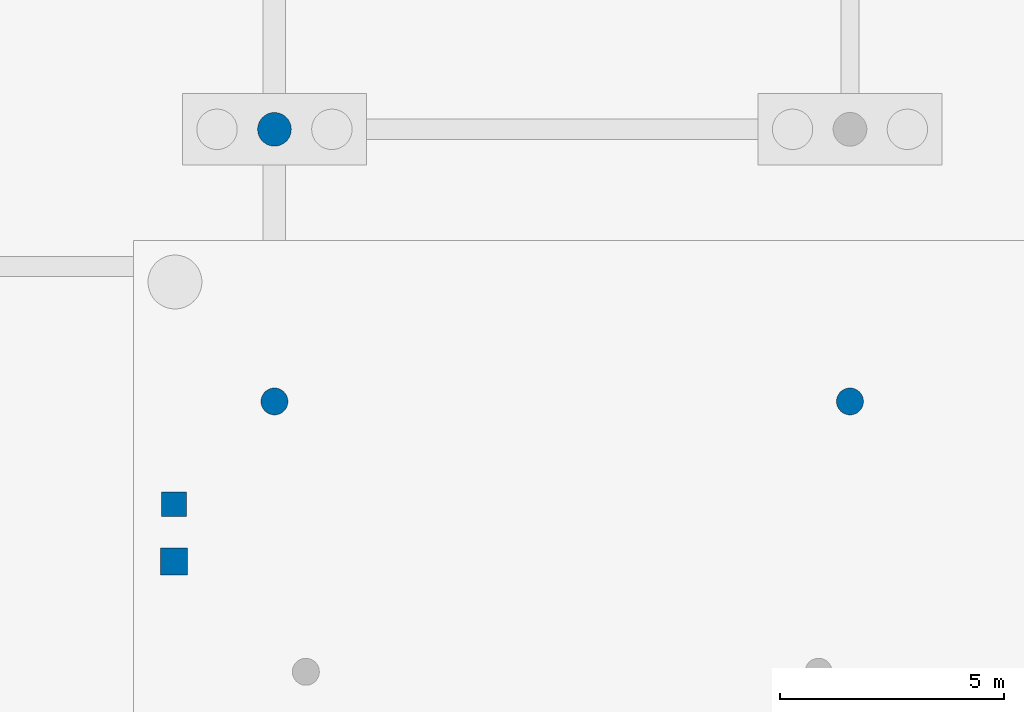
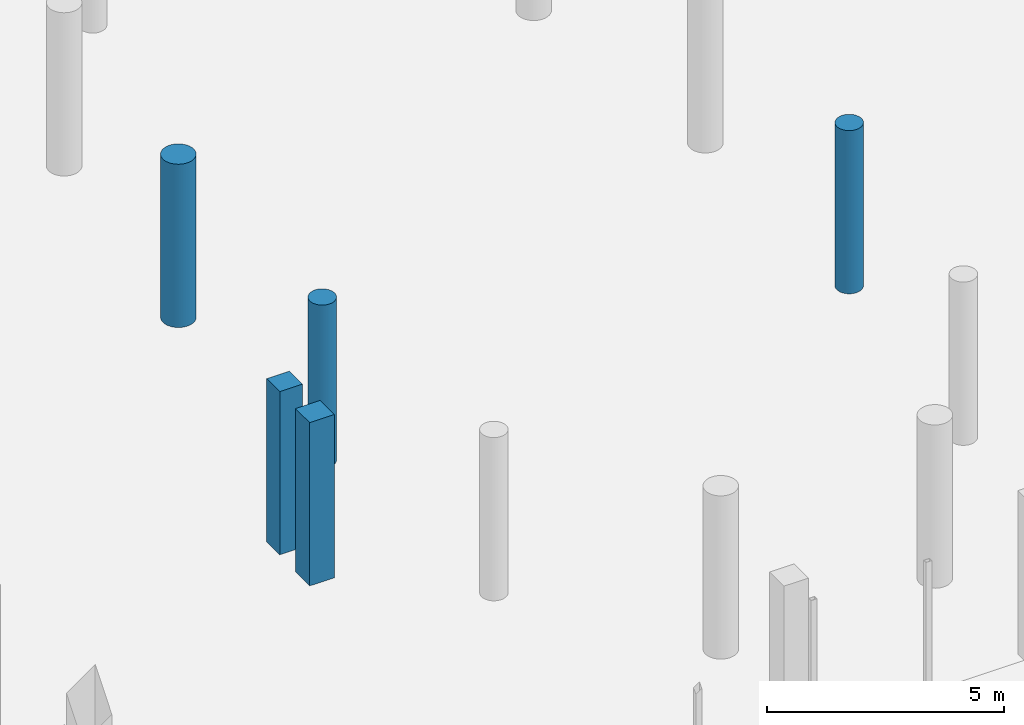
# One storey, part 16 of 34: 5 columns.
"""IFC4 building model written with IfcOpenShell, lengths in metres."""

from ifc_helpers import new_model, si_unit, direction, frame, origin, origin_2d, place, context, subcontext, project, spatial, rectangle, circle, extrude, material, material_profile, profile_set, type_object, element, save


model = new_model("IFC4")

# Units and contexts
model_context = context("Model", 3, precision=1e-05, world=origin(), true_north=direction((0.0, 1.0)))
body_context = subcontext(model_context, "Body", "Model", "MODEL_VIEW")
ifc_project = project(units=[si_unit("LENGTHUNIT", "METRE"), si_unit("AREAUNIT", "SQUARE_METRE"), si_unit("VOLUMEUNIT", "CUBIC_METRE"), si_unit("PLANEANGLEUNIT", "RADIAN"), si_unit("MASSUNIT", "GRAM", prefix="KILO")], contexts=[model_context])

# Site, building, storey
site_placement = place(None, origin())
site = spatial("IfcSite", under=ifc_project, at=site_placement, CompositionType="ELEMENT")
building_placement = place(site_placement, origin())
building = spatial("IfcBuilding", under=site, at=building_placement, Name="Vinh Khe Railworks Police Headquarters", CompositionType="ELEMENT")
storey_placement = place(building_placement, frame((0.0, 0.0, -4.199951171875)))
storey = spatial("IfcBuildingStorey", under=building, at=storey_placement, Name="B1", CompositionType="ELEMENT", Elevation=-4.199951171875)

# Columns
ifc_material = material(Name="Concrete C40/50 (B40)", Category="concrete")
ifc_material_profile_1 = material_profile(ifc_material, rectangle(XDim=0.550048828125, YDim=0.550048828125, at=origin_2d()), Name="RC 550x550")
ifc_profile_set_1 = profile_set([ifc_material_profile_1], Name="Concrete C40/50 (B40)")
column_type_1 = type_object("IfcColumnType", Name="RC Column RC 550x550", PredefinedType="COLUMN", material=ifc_profile_set_1)
column_1_placement = place(storey_placement, frame((34.550048828125, 36.679931640625, 0.0), z_axis=(0.0, 0.0, 1.0), x_axis=(1.0, 0.0, 0.0)))
element("IfcColumn", 1, at=column_1_placement, inside=storey, type_object=column_type_1, Name="Column COL-B1-CC-06-0825", PredefinedType="COLUMN", context=body_context, shape_type="SweptSolid", body=[
    extrude(rectangle(XDim=0.550048828125, YDim=0.550048828125, at=origin_2d()), origin(), (0.0, 0.0, 1.0), 4.199951171875),
])
ifc_material_profile_2 = material_profile(ifc_material, rectangle(XDim=0.60009765625, YDim=0.60009765625, at=origin_2d()), Name="RC 600x600")
ifc_profile_set_2 = profile_set([ifc_material_profile_2], Name="Concrete C40/50 (B40)")
column_type_2 = type_object("IfcColumnType", Name="RC Column RC 600x600", PredefinedType="COLUMN", material=ifc_profile_set_2)
column_2_placement = place(storey_placement, frame((34.550048828125, 35.39990234375, 0.0), z_axis=(0.0, 0.0, 1.0), x_axis=(1.0, 0.0, 0.0)))
element("IfcColumn", 2, at=column_2_placement, inside=storey, type_object=column_type_2, Name="Column COL-B1-CC-05-0821", PredefinedType="COLUMN", context=body_context, shape_type="SweptSolid", body=[
    extrude(rectangle(XDim=0.60009765625, YDim=0.60009765625, at=origin_2d()), origin(), (0.0, 0.0, 1.0), 4.199951171875),
])
ifc_material_profile_3 = material_profile(ifc_material, circle(Radius=0.300048828125, at=origin_2d()), Name="RC-CIRC D600")
ifc_profile_set_3 = profile_set([ifc_material_profile_3], Name="Concrete C40/50 (B40)")
column_type_3 = type_object("IfcColumnType", Name="RC Column RC-CIRC D600", PredefinedType="COLUMN", material=ifc_profile_set_3)
for number, where, z_axis, x_axis, name in (
    (3, (36.78759765625, 38.968017578125, 0.0), (0.0, 0.0, 1.0), (-0.997039347045, -0.076893045491, 0.0), "Column COL-B1-CC-11-0829"),
    (4, (49.6123046875, 38.968017578125, 0.0), (0.0, 0.0, 1.0), (0.999256201254, -0.038562212782, 0.0), "Column COL-B1-CC-11-0949"),
):
    element("IfcColumn", number, at=place(storey_placement, frame(where, z_axis=z_axis, x_axis=x_axis)), inside=storey, type_object=column_type_3, Name=name, PredefinedType="COLUMN", context=body_context, shape_type="SweptSolid", body=[
        extrude(circle(Radius=0.300048828125, at=origin_2d()), origin(), (0.0, 0.0, 1.0), 4.199951171875),
    ])
ifc_material_profile_4 = material_profile(ifc_material, circle(Radius=0.375, at=origin_2d()), Name="RC-CIRC D750")
ifc_profile_set_4 = profile_set([ifc_material_profile_4], Name="Concrete C40/50 (B40)")
column_type_4 = type_object("IfcColumnType", Name="RC Column RC-CIRC D750", PredefinedType="COLUMN", material=ifc_profile_set_4)
column_3_placement = place(storey_placement, frame((36.78759765625, 45.031982421875, 0.0), z_axis=(0.0, 0.0, 1.0), x_axis=(-0.999256201254, 0.038562212782, 0.0)))
element("IfcColumn", 5, at=column_3_placement, inside=storey, type_object=column_type_4, Name="Column COL-B1-CC-12-0834", PredefinedType="COLUMN", context=body_context, shape_type="SweptSolid", body=[
    extrude(circle(Radius=0.375, at=origin_2d()), origin(), (0.0, 0.0, 1.0), 4.199951171875),
])

save(model, "model.ifc")
